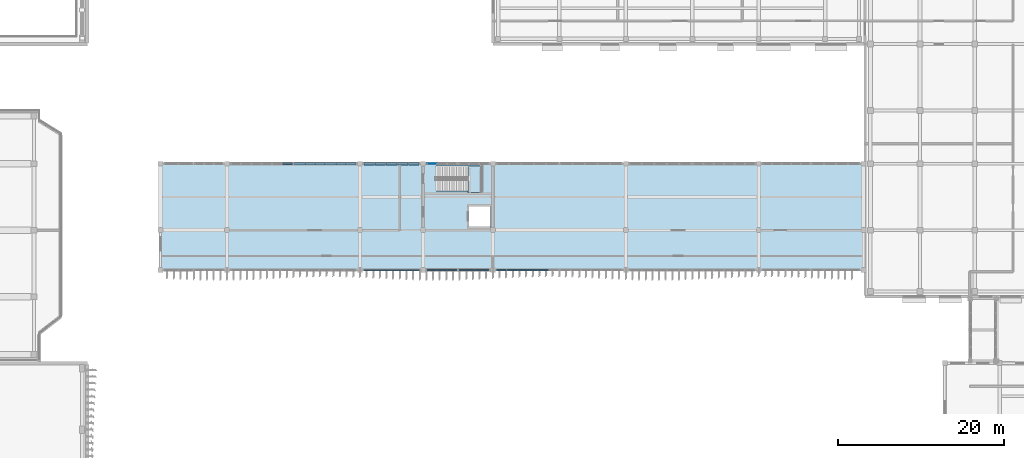
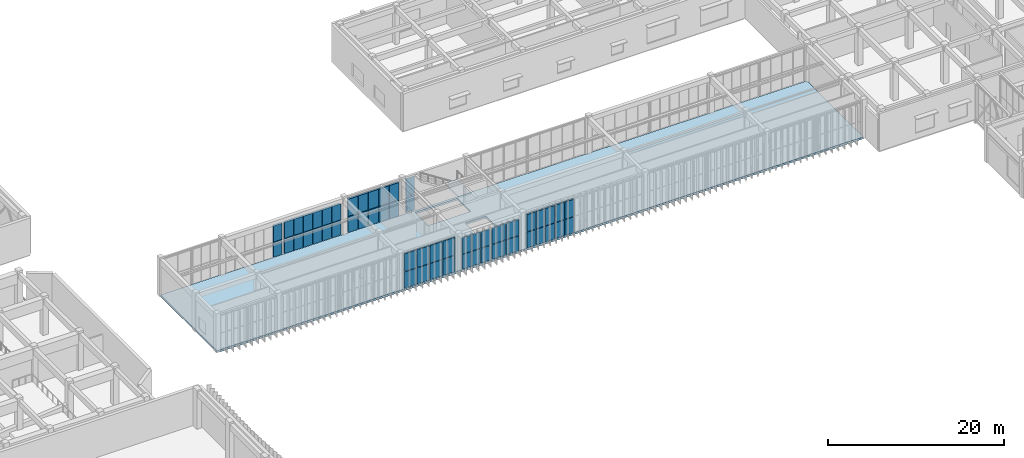
# One storey, part 30 of 64: 54 plates, 2 slabs, 9 elements without a shape of their own.
"""IFC4 building model written with IfcOpenShell, lengths in metres."""

import ifcopenshell
import ifcopenshell.guid

model = None  # the IFC model being written
_history = None  # IfcOwnerHistory: only IFC2X3 demands one
_inside = {}  # id of a spatial element -> (the spatial element, [elements in it])
_under = {}  # id of a project, library or spatial element -> (it, [spatial elements below it])
_declared = {}  # id of a project -> (the project, [libraries it declares])
_typed = {}  # id of a type object -> (the type object, [elements of that type])
_made_of = {}  # id of a material, layer set ... -> (it, [elements and type objects made of it])


def new_model(schema):
    """Start an empty IFC model of exactly this schema.

    Asked for "IFC4X3", IfcOpenShell would pick the latest addendum, in which some entities
    have other attributes; the version numbers below select the first issue.
    IFC2X3 requires an IfcOwnerHistory on every rooted entity: one is made here for all.
    """
    global model, _history
    if schema == "IFC4X3":
        model = ifcopenshell.file(schema_version=(4, 3, 0, 0))
    else:
        model = ifcopenshell.file(schema=schema)
    _inside.clear()
    _under.clear()
    _declared.clear()
    _typed.clear()
    _made_of.clear()
    _history = None
    if model.schema == "IFC2X3":
        org = make("IfcOrganization", Name="unknown")
        user = make(
            "IfcPersonAndOrganization",
            ThePerson=make("IfcPerson", FamilyName="unknown"),
            TheOrganization=org,
        )
        app = make(
            "IfcApplication",
            ApplicationDeveloper=org,
            Version="unknown",
            ApplicationFullName="unknown",
            ApplicationIdentifier="unknown",
        )
        _history = make(
            "IfcOwnerHistory",
            OwningUser=user,
            OwningApplication=app,
            ChangeAction="ADDED",
            CreationDate=0,
        )
    return model


def make(cls, **values):
    """One entity of the class cls with the attributes given. An attribute that is None is left unset."""
    return model.create_entity(
        cls, **{name: value for name, value in values.items() if value is not None}
    )


def rooted(cls, **values):
    """An entity with a GlobalId (a new one), such as an element, a storey or a relation."""
    return make(cls, GlobalId=ifcopenshell.guid.new(), OwnerHistory=_history, **values)


def si_unit(unit_type, name, prefix=None):
    """IfcSIUnit, for example si_unit("LENGTHUNIT", "METRE", prefix="MILLI")."""
    return make("IfcSIUnit", UnitType=unit_type, Prefix=prefix, Name=name)


def assignment(units):
    """IfcUnitAssignment: the units of a project."""
    return None if units is None else make("IfcUnitAssignment", Units=units)


def point(xyz):
    """IfcCartesianPoint."""
    return None if xyz is None else make("IfcCartesianPoint", Coordinates=xyz)


def direction(xyz):
    """IfcDirection."""
    return None if xyz is None else make("IfcDirection", DirectionRatios=xyz)


def frame(location, z_axis=None, x_axis=None):
    """IfcAxis2Placement3D, a coordinate frame: its origin and axes. An axis left out is left unset."""
    return make(
        "IfcAxis2Placement3D",
        Location=point(location),
        Axis=direction(z_axis),
        RefDirection=direction(x_axis),
    )


def frame_2d(location, x_axis=None):
    """IfcAxis2Placement2D, a coordinate frame in the plane: its origin and x axis."""
    return make(
        "IfcAxis2Placement2D", Location=point(location), RefDirection=direction(x_axis)
    )


def origin():
    """The frame at (0, 0, 0) with its axes left unset."""
    return frame((0.0, 0.0, 0.0))


def origin_2d():
    """The frame at (0, 0) in the plane with its x axis left unset."""
    return frame_2d((0.0, 0.0))


def place(relative_to, where):
    """IfcLocalPlacement: puts the frame where relative to a parent placement (None: the world)."""
    return make(
        "IfcLocalPlacement", PlacementRelTo=relative_to, RelativePlacement=where
    )


def context(
    kind, dimensions, precision=None, world=None, true_north=None, identifier=None
):
    """IfcGeometricRepresentationContext, for example the 3D "Model" context."""
    return make(
        "IfcGeometricRepresentationContext",
        ContextIdentifier=identifier,
        ContextType=kind,
        CoordinateSpaceDimension=dimensions,
        Precision=precision,
        WorldCoordinateSystem=world,
        TrueNorth=true_north,
    )


def subcontext(parent, identifier, kind, view, scale=None):
    """IfcGeometricRepresentationSubContext, for example "Body" below "Model"."""
    return make(
        "IfcGeometricRepresentationSubContext",
        ContextIdentifier=identifier,
        ContextType=kind,
        ParentContext=parent,
        TargetScale=scale,
        TargetView=view,
    )


def project(units=None, contexts=None):
    """IfcProject with its units and contexts."""
    return rooted(
        "IfcProject",
        Name="project",
        RepresentationContexts=contexts,
        UnitsInContext=assignment(units),
    )


def spatial(cls, under=None, at=None, **own):
    """A site, building, storey or space (cls), placed at a placement, below another one or the project."""
    s = rooted(cls, ObjectPlacement=at, **own)
    if under is not None:
        _under.setdefault(under.id(), (under, []))[1].append(s)
    return s


def polyline(points):
    """IfcPolyline through the points."""
    return make("IfcPolyline", Points=[point(p) for p in points])


def profile(cls, at=None, kind="AREA", **sizes):
    """A parametric profile (cls). Its sizes go by their IFC names, for example OverallWidth=200.0."""
    return make(cls, ProfileType=kind, Position=at, **sizes)


def rectangle(**sizes):
    """IfcRectangleProfileDef."""
    return profile("IfcRectangleProfileDef", **sizes)


def outline(outer, holes=None, kind="AREA"):
    """IfcArbitraryClosedProfileDef: a profile drawn as a closed curve; with holes, ...WithVoids."""
    if holes is None:
        return make("IfcArbitraryClosedProfileDef", ProfileType=kind, OuterCurve=outer)
    return make(
        "IfcArbitraryProfileDefWithVoids",
        ProfileType=kind,
        OuterCurve=outer,
        InnerCurves=holes,
    )


def extrude(swept, where, along, depth):
    """IfcExtrudedAreaSolid: the profile swept, set in the frame where, extruded along a direction by depth."""
    return make(
        "IfcExtrudedAreaSolid",
        SweptArea=swept,
        Position=where,
        ExtrudedDirection=direction(along),
        Depth=depth,
    )


def shape(context_of_items, identifier, shape_type, items):
    """IfcShapeRepresentation: the items that make up one representation, for example the "Body"."""
    return make(
        "IfcShapeRepresentation",
        ContextOfItems=context_of_items,
        RepresentationIdentifier=identifier,
        RepresentationType=shape_type,
        Items=items,
    )


def material(Name=None, Category=None):
    """IfcMaterial."""
    return make("IfcMaterial", Name=Name, Category=Category)


def layer(
    of_material, thickness, ventilated=None, Name=None, Category=None, Priority=None
):
    """IfcMaterialLayer: one layer of a wall or slab, of a material (None: an air gap)."""
    return make(
        "IfcMaterialLayer",
        Material=of_material,
        LayerThickness=thickness,
        IsVentilated=ventilated,
        Name=Name,
        Category=Category,
        Priority=Priority,
    )


def layer_set(layers, Name=None):
    """IfcMaterialLayerSet."""
    return make("IfcMaterialLayerSet", MaterialLayers=layers, LayerSetName=Name)


def made_of(thing, what):
    """Note that an element or type object is made of a material, layer set ...; save() writes the relation."""
    if what is not None:
        _made_of.setdefault(what.id(), (what, []))[1].append(thing)
    return thing


def type_object(cls, material=None, **own):
    """A type object (cls), such as IfcWallType, which elements share."""
    return made_of(rooted(cls, **own), material)


def element(
    cls,
    number,
    at=None,
    inside=None,
    cuts=None,
    type_object=None,
    material=None,
    context=None,
    identifier="Body",
    shape_type=None,
    held_by="IfcProductDefinitionShape",
    body=None,
    shapes=None,
    **own,
):
    """One element of the class cls, such as IfcWall. Its Tag is "e" and its number.

    at: its placement. inside: the storey or other place that contains it. cuts: it is an
    opening in that element (IfcRelVoidsElement). A single representation is given by context,
    identifier, shape_type and body (its items); several are given by shapes. held_by: the class
    of the entity that holds the representations. save() writes the other relations.
    """
    e = rooted(cls, Tag="e%d" % number, ObjectPlacement=at, **own)
    if body is not None:
        shapes = [shape(context, identifier, shape_type, body)]
    if shapes is not None:
        e.Representation = make(held_by, Representations=shapes)
    if inside is not None:
        _inside.setdefault(inside.id(), (inside, []))[1].append(e)
    if cuts is not None:
        rooted(
            "IfcRelVoidsElement", RelatingBuildingElement=cuts, RelatedOpeningElement=e
        )
    if type_object is not None:
        _typed.setdefault(type_object.id(), (type_object, []))[1].append(e)
    return made_of(e, material)


def aggregate(whole, parts):
    """IfcRelAggregates: a whole, such as a stair, and the parts it consists of."""
    return rooted("IfcRelAggregates", RelatingObject=whole, RelatedObjects=parts)


def save(model, path):
    """Write the relations noted so far, then the file.

    IfcRelAggregates (storeys below a building ...), IfcRelContainedInSpatialStructure (elements
    in a storey), IfcRelDefinesByType, IfcRelAssociatesMaterial and IfcRelDeclares: one each for
    every whole, place, type object, material and project.
    """
    for whole, parts in _under.values():
        aggregate(whole, parts)
    for where, things in _inside.values():
        rooted(
            "IfcRelContainedInSpatialStructure",
            RelatedElements=things,
            RelatingStructure=where,
        )
    for kind, things in _typed.values():
        rooted("IfcRelDefinesByType", RelatedObjects=things, RelatingType=kind)
    for what, things in _made_of.values():
        rooted("IfcRelAssociatesMaterial", RelatedObjects=things, RelatingMaterial=what)
    for by, libraries in _declared.values():
        rooted("IfcRelDeclares", RelatingContext=by, RelatedDefinitions=libraries)
    model.write(path)


model = new_model("IFC4")

# Units and contexts
model_context = context("Model", 3, precision=1e-05, world=origin(), true_north=direction((0.0, 1.0)))
body_context = subcontext(model_context, "Body", "Model", "MODEL_VIEW")
ifc_project = project(units=[si_unit("LENGTHUNIT", "METRE"), si_unit("AREAUNIT", "SQUARE_METRE"), si_unit("VOLUMEUNIT", "CUBIC_METRE"), si_unit("PLANEANGLEUNIT", "RADIAN"), si_unit("MASSUNIT", "GRAM", prefix="KILO")], contexts=[model_context])

# Site, building, storey
site_placement = place(None, origin())
site = spatial("IfcSite", under=ifc_project, at=site_placement, CompositionType="ELEMENT")
building_placement = place(site_placement, origin())
building = spatial("IfcBuilding", under=site, at=building_placement, Name="Cinchona Park Media Centre", CompositionType="ELEMENT")
storey_placement = place(building_placement, frame((0.0, 0.0, 10.199951171875)))
storey = spatial("IfcBuildingStorey", under=building, at=storey_placement, Name="L02", CompositionType="ELEMENT", Elevation=10.199951171875)

# Curtain wall, plates
ifc_material_1 = material(Name="Aluminium Curtain Wall Framing", Category="aluminium")
ifc_layer_1 = layer(ifc_material_1, 0.239990234375)
ifc_layer_set_1 = layer_set([ifc_layer_1], Name="Aluminium Curtain Wall Framing")
curtain_wall_type_1 = type_object("IfcCurtainWallType", Name="CW-CW05", PredefinedType="USERDEFINED", material=ifc_layer_set_1)
curtain_wall_1_placement = place(storey_placement, origin())
curtain_wall_1 = element("IfcCurtainWall", 1, at=curtain_wall_1_placement, inside=storey, type_object=curtain_wall_type_1, Name="Curtain Wall CW05 L02", ObjectType="UNITISED CURTAIN WALL", PredefinedType="USERDEFINED")
ifc_material_2 = material(Name="Laminated Solar-Control Double Glazing", Category="glass")
ifc_layer_2 = layer(ifc_material_2, 0.030029296875)
ifc_layer_set_2 = layer_set([ifc_layer_2], Name="Laminated Solar-Control Double Glazing")
plate_type_1 = type_object("IfcPlateType", Name="CWPANEL-PNL02", PredefinedType="CURTAIN_PANEL", material=ifc_layer_set_2)
plate_1_placement = place(storey_placement, frame((87.4541015625, 87.60009765625, 0.1201171875), z_axis=(0.0, 0.0, 1.0), x_axis=(1.0, 0.0, 0.0)))
plate_1 = element("IfcPlate", 2, at=plate_1_placement, type_object=plate_type_1, Name="CW05 panel 1.1", PredefinedType="CURTAIN_PANEL", context=body_context, shape_type="SweptSolid", body=[
    extrude(rectangle(XDim=1.12841796875, YDim=0.030029296875, at=origin_2d()), origin(), (0.0, 0.0, 1.0), 2.22705078125),
])
plate_2_placement = place(storey_placement, frame((87.4541015625, 87.60009765625, 2.4169921875), z_axis=(0.0, 0.0, 1.0), x_axis=(1.0, 0.0, 0.0)))
plate_2 = element("IfcPlate", 3, at=plate_2_placement, type_object=plate_type_1, Name="CW05 panel 1.2", PredefinedType="CURTAIN_PANEL", context=body_context, shape_type="SweptSolid", body=[
    extrude(rectangle(XDim=1.12841796875, YDim=0.030029296875, at=origin_2d()), origin(), (0.0, 0.0, 1.0), 2.4208984375),
])
aggregate(curtain_wall_1, [plate_1, plate_2])

ifc_material_3 = material(Name="Aluminium Curtain Wall Framing", Category="aluminium")
ifc_layer_3 = layer(ifc_material_3, 0.284912109375)
ifc_layer_set_3 = layer_set([ifc_layer_3], Name="Aluminium Curtain Wall Framing")
curtain_wall_type_2 = type_object("IfcCurtainWallType", Name="CW-CW08", PredefinedType="USERDEFINED", material=ifc_layer_set_3)
curtain_wall_2_placement = place(storey_placement, origin())
curtain_wall_2 = element("IfcCurtainWall", 4, at=curtain_wall_2_placement, inside=storey, type_object=curtain_wall_type_2, Name="Curtain Wall CW08 L02", ObjectType="UNITISED CURTAIN WALL", PredefinedType="USERDEFINED")
ifc_material_4 = material(Name="Insulated Acoustic Aluminium-Glass Spandrel Cassette", Category="aluminium")
ifc_layer_4 = layer(ifc_material_4, 0.139892578125)
ifc_layer_set_4 = layer_set([ifc_layer_4], Name="Insulated Acoustic Aluminium-Glass Spandrel Cassette")
plate_type_2 = type_object("IfcPlateType", Name="CWPANEL-PNL13", PredefinedType="CURTAIN_PANEL", material=ifc_layer_set_4)
plate_3_placement = place(storey_placement, frame((85.117431640625, 74.800048828125, 0.1201171875), z_axis=(0.0, 0.0, 1.0), x_axis=(-1.0, 0.0, 0.0)))
plate_3 = element("IfcPlate", 5, at=plate_3_placement, type_object=plate_type_2, Name="CW08 panel 1.1", PredefinedType="CURTAIN_PANEL", context=body_context, shape_type="SweptSolid", body=[
    extrude(rectangle(XDim=1.5849609375, YDim=0.139892578125, at=origin_2d()), origin(), (0.0, 0.0, 1.0), 2.25),
])
plate_4_placement = place(storey_placement, frame((85.117431640625, 74.800048828125, 2.43994140625), z_axis=(0.0, 0.0, 1.0), x_axis=(-1.0, 0.0, 0.0)))
plate_4 = element("IfcPlate", 6, at=plate_4_placement, type_object=plate_type_2, Name="CW08 panel 1.2", PredefinedType="CURTAIN_PANEL", context=body_context, shape_type="SweptSolid", body=[
    extrude(rectangle(XDim=1.5849609375, YDim=0.139892578125, at=origin_2d()), origin(), (0.0, 0.0, 1.0), 2.447021484375),
])
plate_5_placement = place(storey_placement, frame((83.445068359375, 74.800048828125, 0.1201171875), z_axis=(0.0, 0.0, 1.0), x_axis=(-1.0, 0.0, 0.0)))
plate_5 = element("IfcPlate", 7, at=plate_5_placement, type_object=plate_type_2, Name="CW08 panel 2.1", PredefinedType="CURTAIN_PANEL", context=body_context, shape_type="SweptSolid", body=[
    extrude(rectangle(XDim=1.6201171875, YDim=0.139892578125, at=origin_2d()), origin(), (0.0, 0.0, 1.0), 2.25),
])
plate_6_placement = place(storey_placement, frame((83.445068359375, 74.800048828125, 2.43994140625), z_axis=(0.0, 0.0, 1.0), x_axis=(-1.0, 0.0, 0.0)))
plate_6 = element("IfcPlate", 8, at=plate_6_placement, type_object=plate_type_2, Name="CW08 panel 2.2", PredefinedType="CURTAIN_PANEL", context=body_context, shape_type="SweptSolid", body=[
    extrude(rectangle(XDim=1.6201171875, YDim=0.139892578125, at=origin_2d()), origin(), (0.0, 0.0, 1.0), 2.447021484375),
])
plate_7_placement = place(storey_placement, frame((81.7548828125, 74.800048828125, 0.1201171875), z_axis=(0.0, 0.0, 1.0), x_axis=(-1.0, 0.0, 0.0)))
plate_7 = element("IfcPlate", 9, at=plate_7_placement, type_object=plate_type_2, Name="CW08 panel 3.1", PredefinedType="CURTAIN_PANEL", context=body_context, shape_type="SweptSolid", body=[
    extrude(rectangle(XDim=1.6201171875, YDim=0.139892578125, at=origin_2d()), origin(), (0.0, 0.0, 1.0), 2.25),
])
plate_8_placement = place(storey_placement, frame((81.7548828125, 74.800048828125, 2.43994140625), z_axis=(0.0, 0.0, 1.0), x_axis=(-1.0, 0.0, 0.0)))
plate_8 = element("IfcPlate", 10, at=plate_8_placement, type_object=plate_type_2, Name="CW08 panel 3.2", PredefinedType="CURTAIN_PANEL", context=body_context, shape_type="SweptSolid", body=[
    extrude(rectangle(XDim=1.6201171875, YDim=0.139892578125, at=origin_2d()), origin(), (0.0, 0.0, 1.0), 2.447021484375),
])
plate_9_placement = place(storey_placement, frame((80.08251953125, 74.800048828125, 0.1201171875), z_axis=(0.0, 0.0, 1.0), x_axis=(-1.0, 0.0, 0.0)))
plate_9 = element("IfcPlate", 11, at=plate_9_placement, type_object=plate_type_2, Name="CW08 panel 4.1", PredefinedType="CURTAIN_PANEL", context=body_context, shape_type="SweptSolid", body=[
    extrude(rectangle(XDim=1.5849609375, YDim=0.139892578125, at=origin_2d()), origin(), (0.0, 0.0, 1.0), 2.25),
])
plate_10_placement = place(storey_placement, frame((80.08251953125, 74.800048828125, 2.43994140625), z_axis=(0.0, 0.0, 1.0), x_axis=(-1.0, 0.0, 0.0)))
plate_10 = element("IfcPlate", 12, at=plate_10_placement, type_object=plate_type_2, Name="CW08 panel 4.2", PredefinedType="CURTAIN_PANEL", context=body_context, shape_type="SweptSolid", body=[
    extrude(rectangle(XDim=1.5849609375, YDim=0.139892578125, at=origin_2d()), origin(), (0.0, 0.0, 1.0), 2.447021484375),
])
aggregate(curtain_wall_2, [plate_3, plate_4, plate_5, plate_6, plate_7, plate_8, plate_9, plate_10])

ifc_material_5 = material(Name="Aluminium Curtain Wall Framing", Category="aluminium")
ifc_layer_5 = layer(ifc_material_5, 0.300048828125)
ifc_layer_set_5 = layer_set([ifc_layer_5], Name="Aluminium Curtain Wall Framing")
curtain_wall_type_3 = type_object("IfcCurtainWallType", Name="CW-CW09", PredefinedType="USERDEFINED", material=ifc_layer_set_5)
curtain_wall_3_placement = place(storey_placement, origin())
curtain_wall_3 = element("IfcCurtainWall", 13, at=curtain_wall_3_placement, inside=storey, type_object=curtain_wall_type_3, Name="Curtain Wall CW09 L02", ObjectType="UNITISED CURTAIN WALL", PredefinedType="USERDEFINED")
ifc_material_6 = material(Name="Insulated Acoustic Aluminium-Glass Spandrel Cassette", Category="aluminium")
ifc_layer_6 = layer(ifc_material_6, 0.159912109375)
ifc_layer_set_6 = layer_set([ifc_layer_6], Name="Insulated Acoustic Aluminium-Glass Spandrel Cassette")
plate_type_3 = type_object("IfcPlateType", Name="CWPANEL-PNL15", PredefinedType="CURTAIN_PANEL", material=ifc_layer_set_6)
plate_11_placement = place(storey_placement, frame((93.436279296875, 74.800048828125, 0.125), z_axis=(0.0, 0.0, 1.0), x_axis=(-1.0, 0.0, 0.0)))
plate_11 = element("IfcPlate", 14, at=plate_11_placement, type_object=plate_type_3, Name="CW09 panel 1.1", PredefinedType="CURTAIN_PANEL", context=body_context, shape_type="SweptSolid", body=[
    extrude(rectangle(XDim=1.737548828125, YDim=0.159912109375, at=origin_2d()), origin(), (0.0, 0.0, 1.0), 2.028564453125),
])
plate_12_placement = place(storey_placement, frame((93.436279296875, 74.800048828125, 2.228515625), z_axis=(0.0, 0.0, 1.0), x_axis=(-1.0, 0.0, 0.0)))
plate_12 = element("IfcPlate", 15, at=plate_12_placement, type_object=plate_type_3, Name="CW09 panel 1.2", PredefinedType="CURTAIN_PANEL", context=body_context, shape_type="SweptSolid", body=[
    extrude(rectangle(XDim=1.737548828125, YDim=0.159912109375, at=origin_2d()), origin(), (0.0, 0.0, 1.0), 2.20654296875),
])
plate_13_placement = place(storey_placement, frame((91.623779296875, 74.800048828125, 0.125), z_axis=(0.0, 0.0, 1.0), x_axis=(-1.0, 0.0, 0.0)))
plate_13 = element("IfcPlate", 16, at=plate_13_placement, type_object=plate_type_3, Name="CW09 panel 2.1", PredefinedType="CURTAIN_PANEL", context=body_context, shape_type="SweptSolid", body=[
    extrude(rectangle(XDim=1.737548828125, YDim=0.159912109375, at=origin_2d()), origin(), (0.0, 0.0, 1.0), 2.028564453125),
])
plate_14_placement = place(storey_placement, frame((91.623779296875, 74.800048828125, 2.228515625), z_axis=(0.0, 0.0, 1.0), x_axis=(-1.0, 0.0, 0.0)))
plate_14 = element("IfcPlate", 17, at=plate_14_placement, type_object=plate_type_3, Name="CW09 panel 2.2", PredefinedType="CURTAIN_PANEL", context=body_context, shape_type="SweptSolid", body=[
    extrude(rectangle(XDim=1.737548828125, YDim=0.159912109375, at=origin_2d()), origin(), (0.0, 0.0, 1.0), 2.20654296875),
])
aggregate(curtain_wall_3, [plate_11, plate_12, plate_13, plate_14])

ifc_material_7 = material(Name="Aluminium Curtain Wall Framing", Category="aluminium")
ifc_layer_7 = layer(ifc_material_7, 0.179931640625)
ifc_layer_set_7 = layer_set([ifc_layer_7], Name="Aluminium Curtain Wall Framing")
curtain_wall_type_4 = type_object("IfcCurtainWallType", Name="CW-CW01", PredefinedType="USERDEFINED", material=ifc_layer_set_7)
curtain_wall_4_placement = place(storey_placement, origin())
curtain_wall_4 = element("IfcCurtainWall", 18, at=curtain_wall_4_placement, inside=storey, type_object=curtain_wall_type_4, Name="Curtain Wall CW01 L02", ObjectType="UNITISED CURTAIN WALL", PredefinedType="USERDEFINED")
ifc_material_8 = material(Name="Insulated Acoustic Aluminium-Glass Spandrel Cassette", Category="aluminium")
ifc_layer_8 = layer(ifc_material_8, 0.179931640625)
ifc_layer_set_8 = layer_set([ifc_layer_8], Name="Insulated Acoustic Aluminium-Glass Spandrel Cassette")
plate_type_4 = type_object("IfcPlateType", Name="CWPANEL-PNL17", PredefinedType="CURTAIN_PANEL", material=ifc_layer_set_8)
plate_15_placement = place(storey_placement, frame((89.884521484375, 74.800048828125, 0.125), z_axis=(0.0, 0.0, 1.0), x_axis=(-1.0, 0.0, 0.0)))
plate_15 = element("IfcPlate", 19, at=plate_15_placement, type_object=plate_type_4, Name="CW01 panel 1.1", PredefinedType="CURTAIN_PANEL", context=body_context, shape_type="SweptSolid", body=[
    extrude(rectangle(XDim=1.120849609375, YDim=0.179931640625, at=origin_2d()), origin(), (0.0, 0.0, 1.0), 2.028564453125),
])
plate_16_placement = place(storey_placement, frame((89.884521484375, 74.800048828125, 2.228515625), z_axis=(0.0, 0.0, 1.0), x_axis=(-1.0, 0.0, 0.0)))
plate_16 = element("IfcPlate", 20, at=plate_16_placement, type_object=plate_type_4, Name="CW01 panel 1.2", PredefinedType="CURTAIN_PANEL", context=body_context, shape_type="SweptSolid", body=[
    extrude(rectangle(XDim=1.120849609375, YDim=0.179931640625, at=origin_2d()), origin(), (0.0, 0.0, 1.0), 2.20654296875),
])
plate_17_placement = place(storey_placement, frame((88.669921875, 74.800048828125, 0.125), z_axis=(0.0, 0.0, 1.0), x_axis=(-1.0, 0.0, 0.0)))
plate_17 = element("IfcPlate", 21, at=plate_17_placement, type_object=plate_type_4, Name="CW01 panel 2.1", PredefinedType="CURTAIN_PANEL", context=body_context, shape_type="SweptSolid", body=[
    extrude(rectangle(XDim=1.158447265625, YDim=0.179931640625, at=origin_2d()), origin(), (0.0, 0.0, 1.0), 2.028564453125),
])
plate_18_placement = place(storey_placement, frame((88.669921875, 74.800048828125, 2.228515625), z_axis=(0.0, 0.0, 1.0), x_axis=(-1.0, 0.0, 0.0)))
plate_18 = element("IfcPlate", 22, at=plate_18_placement, type_object=plate_type_4, Name="CW01 panel 2.2", PredefinedType="CURTAIN_PANEL", context=body_context, shape_type="SweptSolid", body=[
    extrude(rectangle(XDim=1.158447265625, YDim=0.179931640625, at=origin_2d()), origin(), (0.0, 0.0, 1.0), 2.20654296875),
])
plate_19_placement = place(storey_placement, frame((87.455322265625, 74.800048828125, 0.125), z_axis=(0.0, 0.0, 1.0), x_axis=(-1.0, 0.0, 0.0)))
plate_19 = element("IfcPlate", 23, at=plate_19_placement, type_object=plate_type_4, Name="CW01 panel 3.1", PredefinedType="CURTAIN_PANEL", context=body_context, shape_type="SweptSolid", body=[
    extrude(rectangle(XDim=1.120849609375, YDim=0.179931640625, at=origin_2d()), origin(), (0.0, 0.0, 1.0), 2.028564453125),
])
plate_20_placement = place(storey_placement, frame((87.455322265625, 74.800048828125, 2.228515625), z_axis=(0.0, 0.0, 1.0), x_axis=(-1.0, 0.0, 0.0)))
plate_20 = element("IfcPlate", 24, at=plate_20_placement, type_object=plate_type_4, Name="CW01 panel 3.2", PredefinedType="CURTAIN_PANEL", context=body_context, shape_type="SweptSolid", body=[
    extrude(rectangle(XDim=1.120849609375, YDim=0.179931640625, at=origin_2d()), origin(), (0.0, 0.0, 1.0), 2.20654296875),
])
aggregate(curtain_wall_4, [plate_15, plate_16, plate_17, plate_18, plate_19, plate_20])

ifc_material_9 = material(Name="Aluminium Curtain Wall Framing", Category="aluminium")
ifc_layer_9 = layer(ifc_material_9, 0.2099609375)
ifc_layer_set_9 = layer_set([ifc_layer_9], Name="Aluminium Curtain Wall Framing")
curtain_wall_type_5 = type_object("IfcCurtainWallType", Name="CW-CW03", PredefinedType="USERDEFINED", material=ifc_layer_set_9)
curtain_wall_5_placement = place(storey_placement, origin())
curtain_wall_5 = element("IfcCurtainWall", 25, at=curtain_wall_5_placement, inside=storey, type_object=curtain_wall_type_5, Name="Curtain Wall CW03 L02", ObjectType="UNITISED CURTAIN WALL", PredefinedType="USERDEFINED")
ifc_material_10 = material(Name="Insulated Acoustic Aluminium-Glass Spandrel Cassette", Category="aluminium")
ifc_layer_10 = layer(ifc_material_10, 0.2099609375)
ifc_layer_set_10 = layer_set([ifc_layer_10], Name="Insulated Acoustic Aluminium-Glass Spandrel Cassette")
plate_type_5 = type_object("IfcPlateType", Name="CWPANEL-PNL20", PredefinedType="CURTAIN_PANEL", material=ifc_layer_set_10)
plate_21_placement = place(storey_placement, frame((100.844970703125, 74.800048828125, 0.1201171875), z_axis=(0.0, 0.0, 1.0), x_axis=(-1.0, 0.0, 0.0)))
plate_21 = element("IfcPlate", 26, at=plate_21_placement, type_object=plate_type_5, Name="CW03 panel 2.1", PredefinedType="CURTAIN_PANEL", context=body_context, shape_type="SweptSolid", body=[
    extrude(rectangle(XDim=1.179931640625, YDim=0.2099609375, at=origin_2d()), origin(), (0.0, 0.0, 1.0), 2.174072265625),
])
plate_22_placement = place(storey_placement, frame((100.844970703125, 74.800048828125, 2.3642578125), z_axis=(0.0, 0.0, 1.0), x_axis=(-1.0, 0.0, 0.0)))
plate_22 = element("IfcPlate", 27, at=plate_22_placement, type_object=plate_type_5, Name="CW03 panel 2.2", PredefinedType="CURTAIN_PANEL", context=body_context, shape_type="SweptSolid", body=[
    extrude(rectangle(XDim=1.179931640625, YDim=0.2099609375, at=origin_2d()), origin(), (0.0, 0.0, 1.0), 2.363037109375),
])
plate_23_placement = place(storey_placement, frame((99.594970703125, 74.800048828125, 0.1201171875), z_axis=(0.0, 0.0, 1.0), x_axis=(-1.0, 0.0, 0.0)))
plate_23 = element("IfcPlate", 28, at=plate_23_placement, type_object=plate_type_5, Name="CW03 panel 3.1", PredefinedType="CURTAIN_PANEL", context=body_context, shape_type="SweptSolid", body=[
    extrude(rectangle(XDim=1.179931640625, YDim=0.2099609375, at=origin_2d()), origin(), (0.0, 0.0, 1.0), 2.174072265625),
])
plate_24_placement = place(storey_placement, frame((99.594970703125, 74.800048828125, 2.3642578125), z_axis=(0.0, 0.0, 1.0), x_axis=(-1.0, 0.0, 0.0)))
plate_24 = element("IfcPlate", 29, at=plate_24_placement, type_object=plate_type_5, Name="CW03 panel 3.2", PredefinedType="CURTAIN_PANEL", context=body_context, shape_type="SweptSolid", body=[
    extrude(rectangle(XDim=1.179931640625, YDim=0.2099609375, at=origin_2d()), origin(), (0.0, 0.0, 1.0), 2.363037109375),
])
plate_25_placement = place(storey_placement, frame((98.344970703125, 74.800048828125, 0.1201171875), z_axis=(0.0, 0.0, 1.0), x_axis=(-1.0, 0.0, 0.0)))
plate_25 = element("IfcPlate", 30, at=plate_25_placement, type_object=plate_type_5, Name="CW03 panel 4.1", PredefinedType="CURTAIN_PANEL", context=body_context, shape_type="SweptSolid", body=[
    extrude(rectangle(XDim=1.179931640625, YDim=0.2099609375, at=origin_2d()), origin(), (0.0, 0.0, 1.0), 2.174072265625),
])
plate_26_placement = place(storey_placement, frame((98.344970703125, 74.800048828125, 2.3642578125), z_axis=(0.0, 0.0, 1.0), x_axis=(-1.0, 0.0, 0.0)))
plate_26 = element("IfcPlate", 31, at=plate_26_placement, type_object=plate_type_5, Name="CW03 panel 4.2", PredefinedType="CURTAIN_PANEL", context=body_context, shape_type="SweptSolid", body=[
    extrude(rectangle(XDim=1.179931640625, YDim=0.2099609375, at=origin_2d()), origin(), (0.0, 0.0, 1.0), 2.363037109375),
])
plate_27_placement = place(storey_placement, frame((97.094970703125, 74.800048828125, 0.1201171875), z_axis=(0.0, 0.0, 1.0), x_axis=(-1.0, 0.0, 0.0)))
plate_27 = element("IfcPlate", 32, at=plate_27_placement, type_object=plate_type_5, Name="CW03 panel 5.1", PredefinedType="CURTAIN_PANEL", context=body_context, shape_type="SweptSolid", body=[
    extrude(rectangle(XDim=1.179931640625, YDim=0.2099609375, at=origin_2d()), origin(), (0.0, 0.0, 1.0), 2.174072265625),
])
plate_28_placement = place(storey_placement, frame((97.094970703125, 74.800048828125, 2.3642578125), z_axis=(0.0, 0.0, 1.0), x_axis=(-1.0, 0.0, 0.0)))
plate_28 = element("IfcPlate", 33, at=plate_28_placement, type_object=plate_type_5, Name="CW03 panel 5.2", PredefinedType="CURTAIN_PANEL", context=body_context, shape_type="SweptSolid", body=[
    extrude(rectangle(XDim=1.179931640625, YDim=0.2099609375, at=origin_2d()), origin(), (0.0, 0.0, 1.0), 2.363037109375),
])
plate_29_placement = place(storey_placement, frame((95.862548828125, 74.800048828125, 0.1201171875), z_axis=(0.0, 0.0, 1.0), x_axis=(-1.0, 0.0, 0.0)))
plate_29 = element("IfcPlate", 34, at=plate_29_placement, type_object=plate_type_5, Name="CW03 panel 6.1", PredefinedType="CURTAIN_PANEL", context=body_context, shape_type="SweptSolid", body=[
    extrude(rectangle(XDim=1.14501953125, YDim=0.2099609375, at=origin_2d()), origin(), (0.0, 0.0, 1.0), 2.174072265625),
])
plate_30_placement = place(storey_placement, frame((95.862548828125, 74.800048828125, 2.3642578125), z_axis=(0.0, 0.0, 1.0), x_axis=(-1.0, 0.0, 0.0)))
plate_30 = element("IfcPlate", 35, at=plate_30_placement, type_object=plate_type_5, Name="CW03 panel 6.2", PredefinedType="CURTAIN_PANEL", context=body_context, shape_type="SweptSolid", body=[
    extrude(rectangle(XDim=1.14501953125, YDim=0.2099609375, at=origin_2d()), origin(), (0.0, 0.0, 1.0), 2.363037109375),
])
aggregate(curtain_wall_5, [plate_21, plate_22, plate_23, plate_24, plate_25, plate_26, plate_27, plate_28, plate_29, plate_30])

ifc_material_11 = material(Name="Aluminium Curtain Wall Framing", Category="aluminium")
ifc_layer_11 = layer(ifc_material_11, 0.195068359375)
ifc_layer_set_11 = layer_set([ifc_layer_11], Name="Aluminium Curtain Wall Framing")
curtain_wall_type_6 = type_object("IfcCurtainWallType", Name="CW-CW02", PredefinedType="USERDEFINED", material=ifc_layer_set_11)
curtain_wall_6_placement = place(storey_placement, origin())
curtain_wall_6 = element("IfcCurtainWall", 36, at=curtain_wall_6_placement, inside=storey, type_object=curtain_wall_type_6, Name="Curtain Wall CW02 L02", ObjectType="UNITISED CURTAIN WALL", PredefinedType="USERDEFINED")
ifc_material_12 = material(Name="Insulated Acoustic Aluminium-Glass Spandrel Cassette", Category="aluminium")
ifc_layer_12 = layer(ifc_material_12, 0.239990234375)
ifc_layer_set_12 = layer_set([ifc_layer_12], Name="Insulated Acoustic Aluminium-Glass Spandrel Cassette")
plate_type_6 = type_object("IfcPlateType", Name="CWPANEL-PNL23", PredefinedType="CURTAIN_PANEL", material=ifc_layer_set_12)
plate_31_placement = place(storey_placement, frame((70.077392578125, 87.60009765625, 0.1201171875), z_axis=(0.0, 0.0, 1.0), x_axis=(1.0, 0.0, 0.0)))
plate_31 = element("IfcPlate", 37, at=plate_31_placement, type_object=plate_type_6, Name="CW02 panel 6.1", PredefinedType="CURTAIN_PANEL", context=body_context, shape_type="SweptSolid", body=[
    extrude(rectangle(XDim=1.14501953125, YDim=0.239990234375, at=origin_2d()), origin(), (0.0, 0.0, 1.0), 2.035888671875),
])
plate_32_placement = place(storey_placement, frame((70.077392578125, 87.60009765625, 2.22607421875), z_axis=(0.0, 0.0, 1.0), x_axis=(1.0, 0.0, 0.0)))
plate_32 = element("IfcPlate", 38, at=plate_32_placement, type_object=plate_type_6, Name="CW02 panel 6.2", PredefinedType="CURTAIN_PANEL", context=body_context, shape_type="SweptSolid", body=[
    extrude(rectangle(XDim=1.14501953125, YDim=0.239990234375, at=origin_2d()), origin(), (0.0, 0.0, 1.0), 2.214111328125),
])
aggregate(curtain_wall_6, [plate_31, plate_32])

curtain_wall_7_placement = place(storey_placement, origin())
curtain_wall_7 = element("IfcCurtainWall", 39, at=curtain_wall_7_placement, inside=storey, type_object=curtain_wall_type_5, Name="Curtain Wall CW03 L02", ObjectType="UNITISED CURTAIN WALL", PredefinedType="USERDEFINED")
ifc_material_13 = material(Name="Insulated Acoustic Aluminium-Glass Spandrel Cassette", Category="aluminium")
ifc_layer_13 = layer(ifc_material_13, 0.260009765625)
ifc_layer_set_13 = layer_set([ifc_layer_13], Name="Insulated Acoustic Aluminium-Glass Spandrel Cassette")
plate_type_7 = type_object("IfcPlateType", Name="CWPANEL-PNL25", PredefinedType="CURTAIN_PANEL", material=ifc_layer_set_13)
plate_33_placement = place(storey_placement, frame((71.5224609375, 87.60009765625, 0.1201171875), z_axis=(0.0, 0.0, 1.0), x_axis=(1.0, 0.0, 0.0)))
plate_33 = element("IfcPlate", 40, at=plate_33_placement, type_object=plate_type_7, Name="CW03 panel 1.1", PredefinedType="CURTAIN_PANEL", context=body_context, shape_type="SweptSolid", body=[
    extrude(rectangle(XDim=1.14501953125, YDim=0.260009765625, at=origin_2d()), origin(), (0.0, 0.0, 1.0), 2.035888671875),
])
plate_34_placement = place(storey_placement, frame((71.5224609375, 87.60009765625, 2.22607421875), z_axis=(0.0, 0.0, 1.0), x_axis=(1.0, 0.0, 0.0)))
plate_34 = element("IfcPlate", 41, at=plate_34_placement, type_object=plate_type_7, Name="CW03 panel 1.2", PredefinedType="CURTAIN_PANEL", context=body_context, shape_type="SweptSolid", body=[
    extrude(rectangle(XDim=1.14501953125, YDim=0.260009765625, at=origin_2d()), origin(), (0.0, 0.0, 1.0), 2.214111328125),
])
plate_35_placement = place(storey_placement, frame((72.7548828125, 87.60009765625, 0.1201171875), z_axis=(0.0, 0.0, 1.0), x_axis=(1.0, 0.0, 0.0)))
plate_35 = element("IfcPlate", 42, at=plate_35_placement, type_object=plate_type_7, Name="CW03 panel 2.1", PredefinedType="CURTAIN_PANEL", context=body_context, shape_type="SweptSolid", body=[
    extrude(rectangle(XDim=1.179931640625, YDim=0.260009765625, at=origin_2d()), origin(), (0.0, 0.0, 1.0), 2.035888671875),
])
plate_36_placement = place(storey_placement, frame((72.7548828125, 87.60009765625, 2.22607421875), z_axis=(0.0, 0.0, 1.0), x_axis=(1.0, 0.0, 0.0)))
plate_36 = element("IfcPlate", 43, at=plate_36_placement, type_object=plate_type_7, Name="CW03 panel 2.2", PredefinedType="CURTAIN_PANEL", context=body_context, shape_type="SweptSolid", body=[
    extrude(rectangle(XDim=1.179931640625, YDim=0.260009765625, at=origin_2d()), origin(), (0.0, 0.0, 1.0), 2.214111328125),
])
plate_37_placement = place(storey_placement, frame((74.0048828125, 87.60009765625, 0.1201171875), z_axis=(0.0, 0.0, 1.0), x_axis=(1.0, 0.0, 0.0)))
plate_37 = element("IfcPlate", 44, at=plate_37_placement, type_object=plate_type_7, Name="CW03 panel 3.1", PredefinedType="CURTAIN_PANEL", context=body_context, shape_type="SweptSolid", body=[
    extrude(rectangle(XDim=1.179931640625, YDim=0.260009765625, at=origin_2d()), origin(), (0.0, 0.0, 1.0), 2.035888671875),
])
plate_38_placement = place(storey_placement, frame((74.0048828125, 87.60009765625, 2.22607421875), z_axis=(0.0, 0.0, 1.0), x_axis=(1.0, 0.0, 0.0)))
plate_38 = element("IfcPlate", 45, at=plate_38_placement, type_object=plate_type_7, Name="CW03 panel 3.2", PredefinedType="CURTAIN_PANEL", context=body_context, shape_type="SweptSolid", body=[
    extrude(rectangle(XDim=1.179931640625, YDim=0.260009765625, at=origin_2d()), origin(), (0.0, 0.0, 1.0), 2.214111328125),
])
plate_39_placement = place(storey_placement, frame((75.2548828125, 87.60009765625, 0.1201171875), z_axis=(0.0, 0.0, 1.0), x_axis=(1.0, 0.0, 0.0)))
plate_39 = element("IfcPlate", 46, at=plate_39_placement, type_object=plate_type_7, Name="CW03 panel 4.1", PredefinedType="CURTAIN_PANEL", context=body_context, shape_type="SweptSolid", body=[
    extrude(rectangle(XDim=1.179931640625, YDim=0.260009765625, at=origin_2d()), origin(), (0.0, 0.0, 1.0), 2.035888671875),
])
plate_40_placement = place(storey_placement, frame((75.2548828125, 87.60009765625, 2.22607421875), z_axis=(0.0, 0.0, 1.0), x_axis=(1.0, 0.0, 0.0)))
plate_40 = element("IfcPlate", 47, at=plate_40_placement, type_object=plate_type_7, Name="CW03 panel 4.2", PredefinedType="CURTAIN_PANEL", context=body_context, shape_type="SweptSolid", body=[
    extrude(rectangle(XDim=1.179931640625, YDim=0.260009765625, at=origin_2d()), origin(), (0.0, 0.0, 1.0), 2.214111328125),
])
plate_41_placement = place(storey_placement, frame((76.5048828125, 87.60009765625, 0.1201171875), z_axis=(0.0, 0.0, 1.0), x_axis=(1.0, 0.0, 0.0)))
plate_41 = element("IfcPlate", 48, at=plate_41_placement, type_object=plate_type_7, Name="CW03 panel 5.1", PredefinedType="CURTAIN_PANEL", context=body_context, shape_type="SweptSolid", body=[
    extrude(rectangle(XDim=1.179931640625, YDim=0.260009765625, at=origin_2d()), origin(), (0.0, 0.0, 1.0), 2.035888671875),
])
plate_42_placement = place(storey_placement, frame((76.5048828125, 87.60009765625, 2.22607421875), z_axis=(0.0, 0.0, 1.0), x_axis=(1.0, 0.0, 0.0)))
plate_42 = element("IfcPlate", 49, at=plate_42_placement, type_object=plate_type_7, Name="CW03 panel 5.2", PredefinedType="CURTAIN_PANEL", context=body_context, shape_type="SweptSolid", body=[
    extrude(rectangle(XDim=1.179931640625, YDim=0.260009765625, at=origin_2d()), origin(), (0.0, 0.0, 1.0), 2.214111328125),
])
plate_43_placement = place(storey_placement, frame((77.737548828125, 87.60009765625, 0.1201171875), z_axis=(0.0, 0.0, 1.0), x_axis=(1.0, 0.0, 0.0)))
plate_43 = element("IfcPlate", 50, at=plate_43_placement, type_object=plate_type_7, Name="CW03 panel 6.1", PredefinedType="CURTAIN_PANEL", context=body_context, shape_type="SweptSolid", body=[
    extrude(rectangle(XDim=1.14501953125, YDim=0.260009765625, at=origin_2d()), origin(), (0.0, 0.0, 1.0), 2.035888671875),
])
plate_44_placement = place(storey_placement, frame((77.737548828125, 87.60009765625, 2.22607421875), z_axis=(0.0, 0.0, 1.0), x_axis=(1.0, 0.0, 0.0)))
plate_44 = element("IfcPlate", 51, at=plate_44_placement, type_object=plate_type_7, Name="CW03 panel 6.2", PredefinedType="CURTAIN_PANEL", context=body_context, shape_type="SweptSolid", body=[
    extrude(rectangle(XDim=1.14501953125, YDim=0.260009765625, at=origin_2d()), origin(), (0.0, 0.0, 1.0), 2.214111328125),
])
aggregate(curtain_wall_7, [plate_33, plate_34, plate_35, plate_36, plate_37, plate_38, plate_39, plate_40, plate_41, plate_42, plate_43, plate_44])

ifc_material_14 = material(Name="Aluminium Curtain Wall Framing", Category="aluminium")
ifc_layer_14 = layer(ifc_material_14, 0.22509765625)
ifc_layer_set_14 = layer_set([ifc_layer_14], Name="Aluminium Curtain Wall Framing")
curtain_wall_type_7 = type_object("IfcCurtainWallType", Name="CW-CW04", PredefinedType="USERDEFINED", material=ifc_layer_set_14)
curtain_wall_8_placement = place(storey_placement, origin())
curtain_wall_8 = element("IfcCurtainWall", 52, at=curtain_wall_8_placement, inside=storey, type_object=curtain_wall_type_7, Name="Curtain Wall CW04 L02", ObjectType="UNITISED CURTAIN WALL", PredefinedType="USERDEFINED")
ifc_material_15 = material(Name="Insulated Acoustic Aluminium-Glass Spandrel Cassette", Category="aluminium")
ifc_layer_15 = layer(ifc_material_15, 0.27001953125)
ifc_layer_set_15 = layer_set([ifc_layer_15], Name="Insulated Acoustic Aluminium-Glass Spandrel Cassette")
plate_type_8 = type_object("IfcPlateType", Name="CWPANEL-PNL26", PredefinedType="CURTAIN_PANEL", material=ifc_layer_set_15)
plate_45_placement = place(storey_placement, frame((79.912353515625, 87.60009765625, 0.115234375), z_axis=(0.0, 0.0, 1.0), x_axis=(1.0, 0.0, 0.0)))
plate_45 = element("IfcPlate", 53, at=plate_45_placement, type_object=plate_type_8, Name="CW04 panel 1.1", PredefinedType="CURTAIN_PANEL", context=body_context, shape_type="SweptSolid", body=[
    extrude(rectangle(XDim=1.25439453125, YDim=0.27001953125, at=origin_2d()), origin(), (0.0, 0.0, 1.0), 2.181396484375),
])
plate_46_placement = place(storey_placement, frame((79.912353515625, 87.60009765625, 2.361572265625), z_axis=(0.0, 0.0, 1.0), x_axis=(1.0, 0.0, 0.0)))
plate_46 = element("IfcPlate", 54, at=plate_46_placement, type_object=plate_type_8, Name="CW04 panel 1.2", PredefinedType="CURTAIN_PANEL", context=body_context, shape_type="SweptSolid", body=[
    extrude(rectangle(XDim=1.25439453125, YDim=0.27001953125, at=origin_2d()), origin(), (0.0, 0.0, 1.0), 2.37060546875),
])
plate_47_placement = place(storey_placement, frame((81.248046875, 87.60009765625, 0.115234375), z_axis=(0.0, 0.0, 1.0), x_axis=(1.0, 0.0, 0.0)))
plate_47 = element("IfcPlate", 55, at=plate_47_placement, type_object=plate_type_8, Name="CW04 panel 2.1", PredefinedType="CURTAIN_PANEL", context=body_context, shape_type="SweptSolid", body=[
    extrude(rectangle(XDim=1.287109375, YDim=0.27001953125, at=origin_2d()), origin(), (0.0, 0.0, 1.0), 2.181396484375),
])
plate_48_placement = place(storey_placement, frame((81.248046875, 87.60009765625, 2.361572265625), z_axis=(0.0, 0.0, 1.0), x_axis=(1.0, 0.0, 0.0)))
plate_48 = element("IfcPlate", 56, at=plate_48_placement, type_object=plate_type_8, Name="CW04 panel 2.2", PredefinedType="CURTAIN_PANEL", context=body_context, shape_type="SweptSolid", body=[
    extrude(rectangle(XDim=1.287109375, YDim=0.27001953125, at=origin_2d()), origin(), (0.0, 0.0, 1.0), 2.37060546875),
])
plate_49_placement = place(storey_placement, frame((82.60009765625, 87.60009765625, 0.115234375), z_axis=(0.0, 0.0, 1.0), x_axis=(1.0, 0.0, 0.0)))
plate_49 = element("IfcPlate", 57, at=plate_49_placement, type_object=plate_type_8, Name="CW04 panel 3.1", PredefinedType="CURTAIN_PANEL", context=body_context, shape_type="SweptSolid", body=[
    extrude(rectangle(XDim=1.287109375, YDim=0.27001953125, at=origin_2d()), origin(), (0.0, 0.0, 1.0), 2.181396484375),
])
plate_50_placement = place(storey_placement, frame((82.60009765625, 87.60009765625, 2.361572265625), z_axis=(0.0, 0.0, 1.0), x_axis=(1.0, 0.0, 0.0)))
plate_50 = element("IfcPlate", 58, at=plate_50_placement, type_object=plate_type_8, Name="CW04 panel 3.2", PredefinedType="CURTAIN_PANEL", context=body_context, shape_type="SweptSolid", body=[
    extrude(rectangle(XDim=1.287109375, YDim=0.27001953125, at=origin_2d()), origin(), (0.0, 0.0, 1.0), 2.37060546875),
])
plate_51_placement = place(storey_placement, frame((83.951904296875, 87.60009765625, 0.115234375), z_axis=(0.0, 0.0, 1.0), x_axis=(1.0, 0.0, 0.0)))
plate_51 = element("IfcPlate", 59, at=plate_51_placement, type_object=plate_type_8, Name="CW04 panel 4.1", PredefinedType="CURTAIN_PANEL", context=body_context, shape_type="SweptSolid", body=[
    extrude(rectangle(XDim=1.287109375, YDim=0.27001953125, at=origin_2d()), origin(), (0.0, 0.0, 1.0), 2.181396484375),
])
plate_52_placement = place(storey_placement, frame((83.951904296875, 87.60009765625, 2.361572265625), z_axis=(0.0, 0.0, 1.0), x_axis=(1.0, 0.0, 0.0)))
plate_52 = element("IfcPlate", 60, at=plate_52_placement, type_object=plate_type_8, Name="CW04 panel 4.2", PredefinedType="CURTAIN_PANEL", context=body_context, shape_type="SweptSolid", body=[
    extrude(rectangle(XDim=1.287109375, YDim=0.27001953125, at=origin_2d()), origin(), (0.0, 0.0, 1.0), 2.37060546875),
])
plate_53_placement = place(storey_placement, frame((85.287841796875, 87.60009765625, 0.115234375), z_axis=(0.0, 0.0, 1.0), x_axis=(1.0, 0.0, 0.0)))
plate_53 = element("IfcPlate", 61, at=plate_53_placement, type_object=plate_type_8, Name="CW04 panel 5.1", PredefinedType="CURTAIN_PANEL", context=body_context, shape_type="SweptSolid", body=[
    extrude(rectangle(XDim=1.25439453125, YDim=0.27001953125, at=origin_2d()), origin(), (0.0, 0.0, 1.0), 2.181396484375),
])
plate_54_placement = place(storey_placement, frame((85.287841796875, 87.60009765625, 2.361572265625), z_axis=(0.0, 0.0, 1.0), x_axis=(1.0, 0.0, 0.0)))
plate_54 = element("IfcPlate", 62, at=plate_54_placement, type_object=plate_type_8, Name="CW04 panel 5.2", PredefinedType="CURTAIN_PANEL", context=body_context, shape_type="SweptSolid", body=[
    extrude(rectangle(XDim=1.25439453125, YDim=0.27001953125, at=origin_2d()), origin(), (0.0, 0.0, 1.0), 2.37060546875),
])
aggregate(curtain_wall_8, [plate_45, plate_46, plate_47, plate_48, plate_49, plate_50, plate_51, plate_52, plate_53, plate_54])

# Stair, slab
ifc_material_16 = material(Name="Concrete C35/45", Category="concrete")
stair_type = type_object("IfcStairType", Name="STAIR-ST5-HT54", PredefinedType="HALF_TURN_STAIR", material=ifc_material_16)
stair_placement = place(storey_placement, origin())
stair = element("IfcStair", 63, at=stair_placement, inside=storey, type_object=stair_type, Name="Exit Stair ST5 L02", PredefinedType="HALF_TURN_STAIR")
ifc_material_17 = material(Name="Concrete C35/45", Category="concrete")
ifc_layer_16 = layer(ifc_material_17, 0.205078125)
ifc_layer_set_16 = layer_set([ifc_layer_16], Name="Concrete C35/45")
slab_type_1 = type_object("IfcSlabType", Name="LANDING-LDG01", PredefinedType="LANDING", material=ifc_layer_set_16)
slab_1_placement = place(storey_placement, frame((0.0, 0.0, 2.4951171875)))
slab_1 = element("IfcSlab", 64, at=slab_1_placement, type_object=slab_type_1, Name="ST5 landing 1", PredefinedType="LANDING", context=body_context, shape_type="SweptSolid", body=[
    extrude(outline(polyline([(91.820068359375, 84.14990234375), (93.47998046875, 84.14990234375), (93.47998046875, 87.280029296875), (91.820068359375, 87.280029296875), (91.820068359375, 84.14990234375)])), origin(), (0.0, 0.0, 1.0), 0.204833984375),
])
aggregate(stair, [slab_1])

# Slab
ifc_material_18 = material(Name="Concrete C35/45", Category="concrete")
ifc_layer_17 = layer(ifc_material_18, 0.260009765625)
ifc_layer_set_17 = layer_set([ifc_layer_17], Name="Concrete C35/45")
slab_type_2 = type_object("IfcSlabType", Name="SLAB-SL05-260", PredefinedType="FLOOR", material=ifc_layer_set_17)
slab_2_placement = place(storey_placement, frame((0.0, 0.0, -0.260009765625)))
element("IfcSlab", 65, at=slab_2_placement, inside=storey, type_object=slab_type_2, Name="Floor Slab V5 L02", PredefinedType="FLOOR", context=body_context, shape_type="SweptSolid", body=[
    extrude(outline(polyline([(54.800048828125, 74.800048828125), (139.39990234375, 74.800048828125), (139.39990234375, 87.60009765625), (54.800048828125, 87.60009765625), (54.800048828125, 74.800048828125)]), holes=[polyline([(87.93505859375, 84.300048828125), (93.5, 84.300048828125), (93.5, 87.300048828125), (87.93505859375, 87.300048828125), (87.93505859375, 84.300048828125)]), polyline([(91.800048828125, 79.89990234375), (94.5, 79.89990234375), (94.5, 82.60009765625), (91.800048828125, 82.60009765625), (91.800048828125, 79.89990234375)])]), origin(), (0.0, 0.0, 1.0), 0.260009765625),
])

save(model, "model.ifc")
